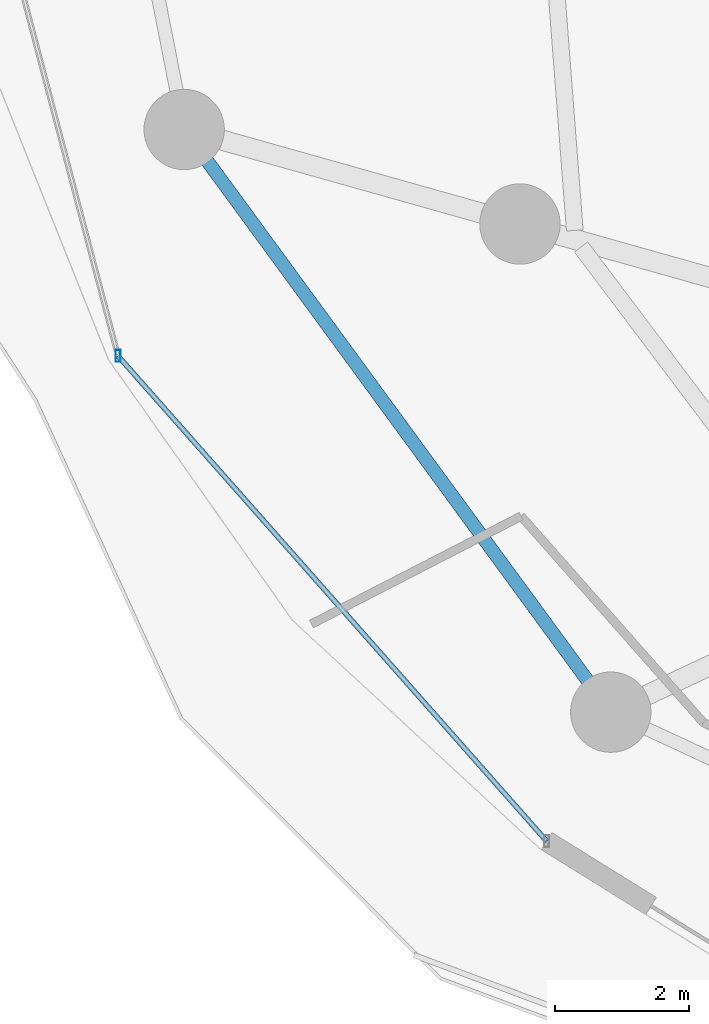
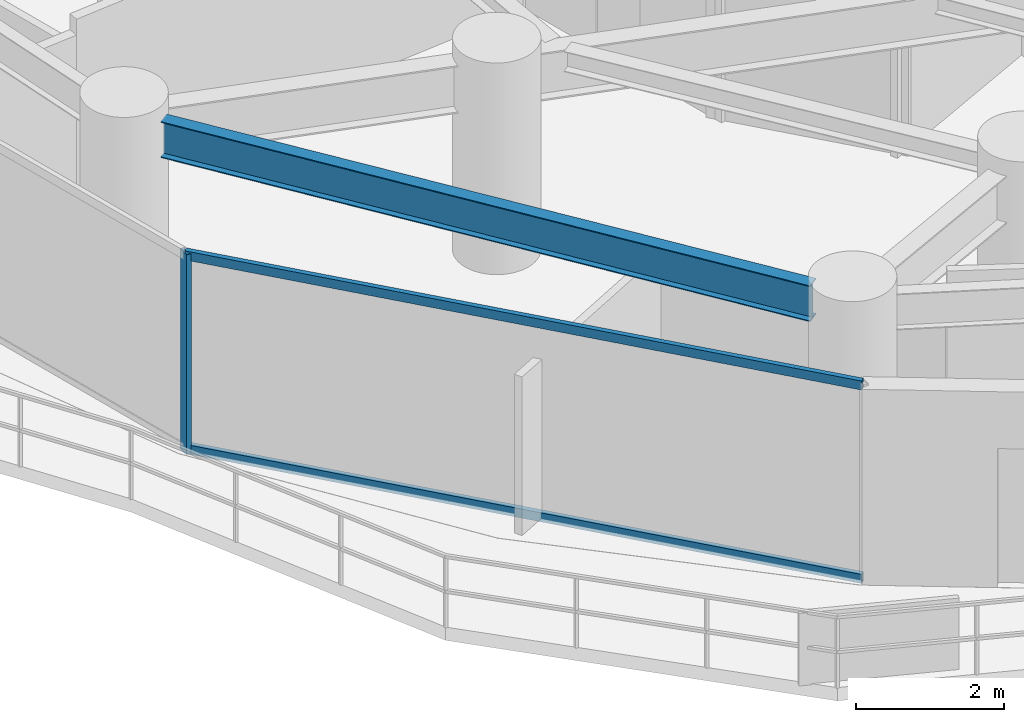
# One storey, part 3 of 33: 3 members, 1 beam, 1 element without a shape of its own.
"""IFC4 building model written with IfcOpenShell, lengths in metres."""

from ifc_helpers import new_model, si_unit, direction, frame, origin, origin_2d, place, context, subcontext, project, spatial, hollow_rectangle, i_section, extrude, material, material_profile, profile_set, type_object, element, aggregate, save


model = new_model("IFC4")

# Units and contexts
model_context = context("Model", 3, precision=1e-05, world=origin(), true_north=direction((0.0, 1.0)))
body_context = subcontext(model_context, "Body", "Model", "MODEL_VIEW")
ifc_project = project(units=[si_unit("LENGTHUNIT", "METRE"), si_unit("AREAUNIT", "SQUARE_METRE"), si_unit("VOLUMEUNIT", "CUBIC_METRE"), si_unit("PLANEANGLEUNIT", "RADIAN"), si_unit("MASSUNIT", "GRAM", prefix="KILO")], contexts=[model_context])

# Site, building, storey
site_placement = place(None, origin())
site = spatial("IfcSite", under=ifc_project, at=site_placement, CompositionType="ELEMENT")
building_placement = place(site_placement, origin())
building = spatial("IfcBuilding", under=site, at=building_placement, Name="Vorneva Point Tower", CompositionType="ELEMENT")
storey_placement = place(building_placement, frame((0.0, 0.0, 59.0)))
storey = spatial("IfcBuildingStorey", under=building, at=storey_placement, Name="L15", CompositionType="ELEMENT", Elevation=59.0)

# Beam
ifc_material_1 = material(Name="Steel S355", Category="steel")
ifc_material_profile_1 = material_profile(ifc_material_1, i_section(OverallWidth=0.198974609375, OverallDepth=0.595947265625, WebThickness=0.010009765625, FlangeThickness=0.014892578125, at=origin_2d()), Name="60B1")
ifc_profile_set_1 = profile_set([ifc_material_profile_1], Name="Steel S355")
beam_type = type_object("IfcBeamType", Name="BM-SPN-60B1", PredefinedType="SPANDREL", material=ifc_profile_set_1)
beam_placement = place(storey_placement, frame((12.03369140625, 20.357666015625, 2.94189453125), z_axis=(0.590713179556, -0.806881614302, 0.0), x_axis=(0.806881614302, 0.590713179556, 0.0)))
element("IfcBeam", 1, at=beam_placement, inside=storey, type_object=beam_type, Name="L15 Perimeter Spandrel Ring Beam 10", PredefinedType="SPANDREL", context=body_context, shape_type="SweptSolid", body=[
    extrude(i_section(OverallWidth=0.198974609375, OverallDepth=0.595947265625, WebThickness=0.010009765625, FlangeThickness=0.014892578125, at=origin_2d()), origin(), (0.0, 0.0, 1.0), 9.619140625),
])

# Curtain wall, members
ifc_material_2 = material(Name="Pale anodised aluminium", Category="aluminium")
curtain_wall_type = type_object("IfcCurtainWallType", Name="CW-HTL-SYS", PredefinedType="NOTDEFINED", material=ifc_material_2)
curtain_wall_placement = place(storey_placement, origin())
curtain_wall = element("IfcCurtainWall", 2, at=curtain_wall_placement, inside=storey, type_object=curtain_wall_type, Name="L15 Unitised Curtain Wall CW-L15-R03", PredefinedType="NOTDEFINED")
ifc_material_profile_2 = material_profile(ifc_material_2, hollow_rectangle(XDim=0.074951171875, YDim=0.179931640625, WallThickness=0.00390625, at=origin_2d()), Name="AL-MUL 180x75x4")
ifc_profile_set_2 = profile_set([ifc_material_profile_2], Name="Pale anodised aluminium")
member_type_1 = type_object("IfcMemberType", Name="CW-MUL-180", PredefinedType="MULLION", material=ifc_profile_set_2)
member_1_placement = place(storey_placement, frame((10.699462890625, 17.447021484375, -0.0400390625), z_axis=(0.0, 0.0, 1.0), x_axis=(1.0, 0.0, 0.0)))
member_1 = element("IfcMember", 3, at=member_1_placement, type_object=member_type_1, Name="CW-L15-R03 Mullion 04", PredefinedType="MULLION", context=body_context, shape_type="SweptSolid", body=[
    extrude(hollow_rectangle(XDim=0.074951171875, YDim=0.179931640625, WallThickness=0.00390625, at=origin_2d()), origin(), (0.0, 0.0, 1.0), 3.31005859375),
])
ifc_material_profile_3 = material_profile(ifc_material_2, hollow_rectangle(XDim=0.074951171875, YDim=0.14990234375, WallThickness=0.00390625, at=origin_2d()), Name="AL-TRN 150x75x4")
ifc_profile_set_3 = profile_set([ifc_material_profile_3], Name="Pale anodised aluminium")
member_type_2 = type_object("IfcMemberType", Name="CW-TRN-150", PredefinedType="USERDEFINED", material=ifc_profile_set_3)
member_2_placement = place(storey_placement, frame((10.699462890625, 17.447021484375, 0.02001953125), z_axis=(0.662075539029, -0.749437109182, 0.0), x_axis=(0.749437109182, 0.662075539029, 0.0)))
member_2 = element("IfcMember", 4, at=member_2_placement, type_object=member_type_2, Name="CW-L15-R03 Transom 04.1", ObjectType="TRANSOM", PredefinedType="USERDEFINED", context=body_context, shape_type="SweptSolid", body=[
    extrude(hollow_rectangle(XDim=0.074951171875, YDim=0.14990234375, WallThickness=0.00390625, at=origin_2d()), origin(), (0.0, 0.0, 1.0), 9.6748046875),
])
member_3_placement = place(storey_placement, frame((10.699462890625, 17.447021484375, 3.219970703125), z_axis=(0.662075539029, -0.749437109182, 0.0), x_axis=(0.749437109182, 0.662075539029, 0.0)))
member_3 = element("IfcMember", 5, at=member_3_placement, type_object=member_type_2, Name="CW-L15-R03 Transom 04.2", ObjectType="TRANSOM", PredefinedType="USERDEFINED", context=body_context, shape_type="SweptSolid", body=[
    extrude(hollow_rectangle(XDim=0.074951171875, YDim=0.14990234375, WallThickness=0.00390625, at=origin_2d()), origin(), (0.0, 0.0, 1.0), 9.6748046875),
])
aggregate(curtain_wall, [member_1, member_2, member_3])

save(model, "model.ifc")
